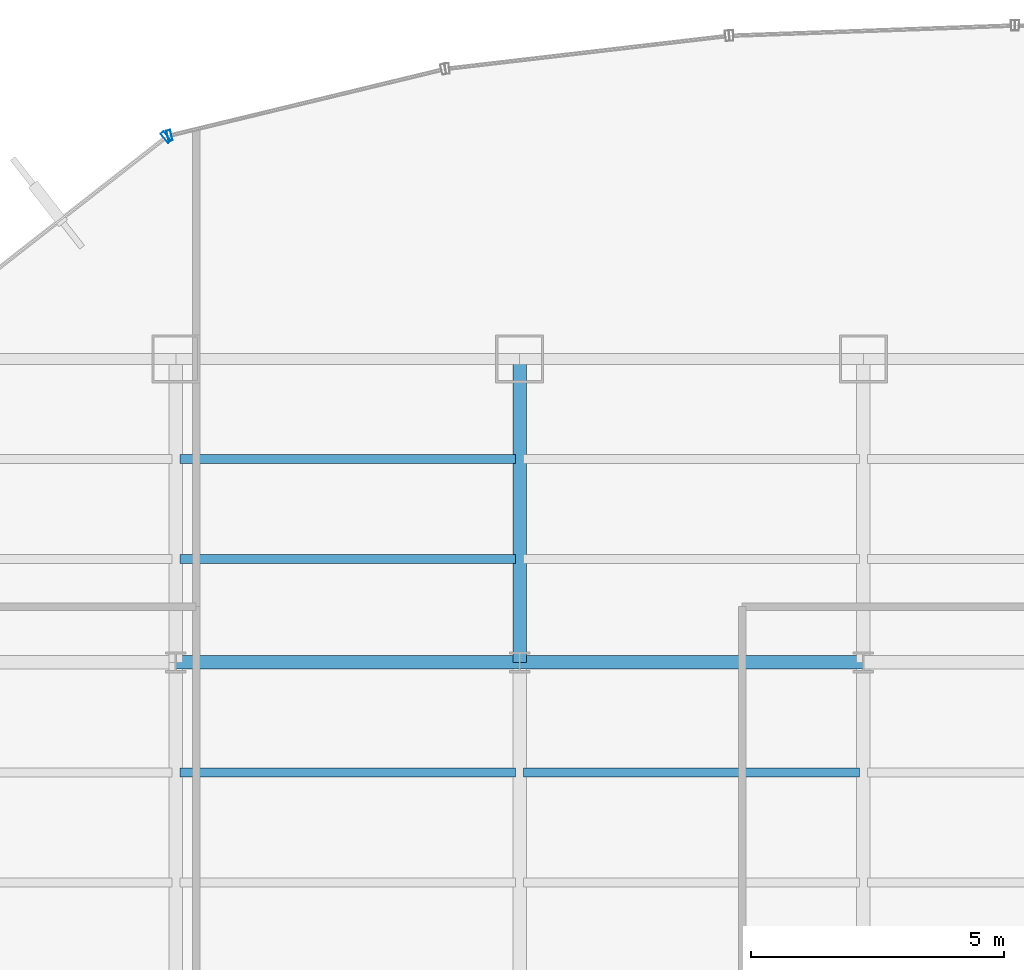
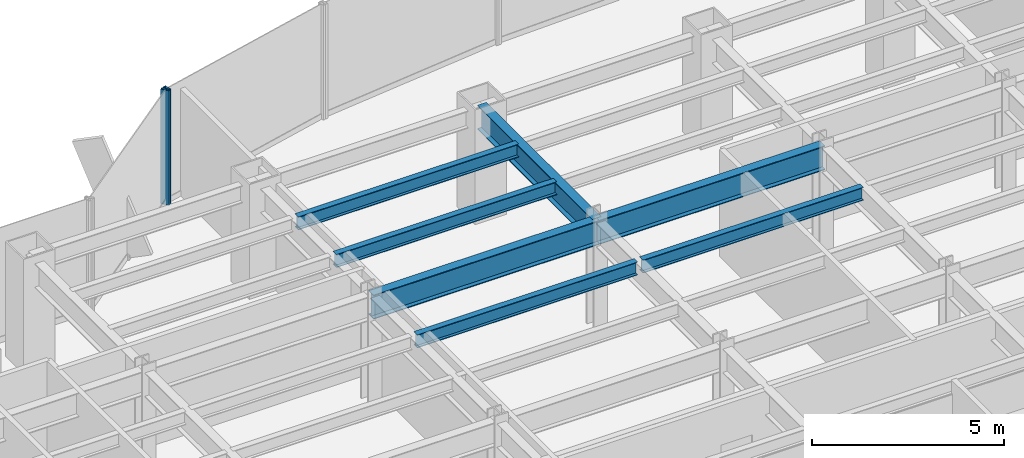
# One storey, part 11 of 23: 7 beams, 2 members, 2 elements without a shape of their own.
"""IFC4 building model written with IfcOpenShell, lengths in metres."""

import ifcopenshell
import ifcopenshell.guid

model = None  # the IFC model being written
_history = None  # IfcOwnerHistory: only IFC2X3 demands one
_inside = {}  # id of a spatial element -> (the spatial element, [elements in it])
_under = {}  # id of a project, library or spatial element -> (it, [spatial elements below it])
_declared = {}  # id of a project -> (the project, [libraries it declares])
_typed = {}  # id of a type object -> (the type object, [elements of that type])
_made_of = {}  # id of a material, layer set ... -> (it, [elements and type objects made of it])


def new_model(schema):
    """Start an empty IFC model of exactly this schema.

    Asked for "IFC4X3", IfcOpenShell would pick the latest addendum, in which some entities
    have other attributes; the version numbers below select the first issue.
    IFC2X3 requires an IfcOwnerHistory on every rooted entity: one is made here for all.
    """
    global model, _history
    if schema == "IFC4X3":
        model = ifcopenshell.file(schema_version=(4, 3, 0, 0))
    else:
        model = ifcopenshell.file(schema=schema)
    _inside.clear()
    _under.clear()
    _declared.clear()
    _typed.clear()
    _made_of.clear()
    _history = None
    if model.schema == "IFC2X3":
        org = make("IfcOrganization", Name="unknown")
        user = make(
            "IfcPersonAndOrganization",
            ThePerson=make("IfcPerson", FamilyName="unknown"),
            TheOrganization=org,
        )
        app = make(
            "IfcApplication",
            ApplicationDeveloper=org,
            Version="unknown",
            ApplicationFullName="unknown",
            ApplicationIdentifier="unknown",
        )
        _history = make(
            "IfcOwnerHistory",
            OwningUser=user,
            OwningApplication=app,
            ChangeAction="ADDED",
            CreationDate=0,
        )
    return model


def make(cls, **values):
    """One entity of the class cls with the attributes given. An attribute that is None is left unset."""
    return model.create_entity(
        cls, **{name: value for name, value in values.items() if value is not None}
    )


def rooted(cls, **values):
    """An entity with a GlobalId (a new one), such as an element, a storey or a relation."""
    return make(cls, GlobalId=ifcopenshell.guid.new(), OwnerHistory=_history, **values)


def si_unit(unit_type, name, prefix=None):
    """IfcSIUnit, for example si_unit("LENGTHUNIT", "METRE", prefix="MILLI")."""
    return make("IfcSIUnit", UnitType=unit_type, Prefix=prefix, Name=name)


def derived_unit(unit_type, elements):
    """IfcDerivedUnit: a product of units, each with its exponent."""
    return make(
        "IfcDerivedUnit",
        Elements=[
            make("IfcDerivedUnitElement", Unit=unit, Exponent=power)
            for unit, power in elements
        ],
        UnitType=unit_type,
    )


def assignment(units):
    """IfcUnitAssignment: the units of a project."""
    return None if units is None else make("IfcUnitAssignment", Units=units)


def point(xyz):
    """IfcCartesianPoint."""
    return None if xyz is None else make("IfcCartesianPoint", Coordinates=xyz)


def direction(xyz):
    """IfcDirection."""
    return None if xyz is None else make("IfcDirection", DirectionRatios=xyz)


def frame(location, z_axis=None, x_axis=None):
    """IfcAxis2Placement3D, a coordinate frame: its origin and axes. An axis left out is left unset."""
    return make(
        "IfcAxis2Placement3D",
        Location=point(location),
        Axis=direction(z_axis),
        RefDirection=direction(x_axis),
    )


def frame_2d(location, x_axis=None):
    """IfcAxis2Placement2D, a coordinate frame in the plane: its origin and x axis."""
    return make(
        "IfcAxis2Placement2D", Location=point(location), RefDirection=direction(x_axis)
    )


def origin():
    """The frame at (0, 0, 0) with its axes left unset."""
    return frame((0.0, 0.0, 0.0))


def origin_2d():
    """The frame at (0, 0) in the plane with its x axis left unset."""
    return frame_2d((0.0, 0.0))


def place(relative_to, where):
    """IfcLocalPlacement: puts the frame where relative to a parent placement (None: the world)."""
    return make(
        "IfcLocalPlacement", PlacementRelTo=relative_to, RelativePlacement=where
    )


def context(
    kind, dimensions, precision=None, world=None, true_north=None, identifier=None
):
    """IfcGeometricRepresentationContext, for example the 3D "Model" context."""
    return make(
        "IfcGeometricRepresentationContext",
        ContextIdentifier=identifier,
        ContextType=kind,
        CoordinateSpaceDimension=dimensions,
        Precision=precision,
        WorldCoordinateSystem=world,
        TrueNorth=true_north,
    )


def subcontext(parent, identifier, kind, view, scale=None):
    """IfcGeometricRepresentationSubContext, for example "Body" below "Model"."""
    return make(
        "IfcGeometricRepresentationSubContext",
        ContextIdentifier=identifier,
        ContextType=kind,
        ParentContext=parent,
        TargetScale=scale,
        TargetView=view,
    )


def project(units=None, contexts=None):
    """IfcProject with its units and contexts."""
    return rooted(
        "IfcProject",
        Name="project",
        RepresentationContexts=contexts,
        UnitsInContext=assignment(units),
    )


def spatial(cls, under=None, at=None, **own):
    """A site, building, storey or space (cls), placed at a placement, below another one or the project."""
    s = rooted(cls, ObjectPlacement=at, **own)
    if under is not None:
        _under.setdefault(under.id(), (under, []))[1].append(s)
    return s


def profile(cls, at=None, kind="AREA", **sizes):
    """A parametric profile (cls). Its sizes go by their IFC names, for example OverallWidth=200.0."""
    return make(cls, ProfileType=kind, Position=at, **sizes)


def hollow_rectangle(**sizes):
    """IfcRectangleHollowProfileDef."""
    return profile("IfcRectangleHollowProfileDef", **sizes)


def i_section(**sizes):
    """IfcIShapeProfileDef."""
    return profile("IfcIShapeProfileDef", **sizes)


def extrude(swept, where, along, depth):
    """IfcExtrudedAreaSolid: the profile swept, set in the frame where, extruded along a direction by depth."""
    return make(
        "IfcExtrudedAreaSolid",
        SweptArea=swept,
        Position=where,
        ExtrudedDirection=direction(along),
        Depth=depth,
    )


def shape(context_of_items, identifier, shape_type, items):
    """IfcShapeRepresentation: the items that make up one representation, for example the "Body"."""
    return make(
        "IfcShapeRepresentation",
        ContextOfItems=context_of_items,
        RepresentationIdentifier=identifier,
        RepresentationType=shape_type,
        Items=items,
    )


def source(mapping_origin, context_of_items, identifier, shape_type, items):
    """IfcRepresentationMap: a shape defined once, which mapped items show again and again."""
    return make(
        "IfcRepresentationMap",
        MappingOrigin=mapping_origin,
        MappedRepresentation=shape(context_of_items, identifier, shape_type, items),
    )


def transform(
    local_origin,
    x_axis=None,
    y_axis=None,
    z_axis=None,
    scale=None,
    scale2=None,
    scale3=None,
    uniform=True,
):
    """IfcCartesianTransformationOperator3D, or its non-uniform kind. x_axis, y_axis, z_axis: its Axis1, 2, 3."""
    if uniform:
        return make(
            "IfcCartesianTransformationOperator3D",
            Axis1=direction(x_axis),
            Axis2=direction(y_axis),
            LocalOrigin=point(local_origin),
            Scale=scale,
            Axis3=direction(z_axis),
        )
    return make(
        "IfcCartesianTransformationOperator3DnonUniform",
        Axis1=direction(x_axis),
        Axis2=direction(y_axis),
        LocalOrigin=point(local_origin),
        Scale=scale,
        Axis3=direction(z_axis),
        Scale2=scale2,
        Scale3=scale3,
    )


def mapped(mapping_source, mapping_target):
    """IfcMappedItem: shows the shape of a source again, moved by a transform."""
    return make(
        "IfcMappedItem", MappingSource=mapping_source, MappingTarget=mapping_target
    )


def material(Name=None, Category=None):
    """IfcMaterial."""
    return make("IfcMaterial", Name=Name, Category=Category)


def material_profile(
    of_material, cross_section, Name=None, Category=None, Priority=None
):
    """IfcMaterialProfile: a cross section and its material."""
    return make(
        "IfcMaterialProfile",
        Name=Name,
        Material=of_material,
        Profile=cross_section,
        Priority=Priority,
        Category=Category,
    )


def profile_set(profiles, Name=None, composite=None):
    """IfcMaterialProfileSet."""
    return make(
        "IfcMaterialProfileSet",
        Name=Name,
        MaterialProfiles=profiles,
        CompositeProfile=composite,
    )


def made_of(thing, what):
    """Note that an element or type object is made of a material, layer set ...; save() writes the relation."""
    if what is not None:
        _made_of.setdefault(what.id(), (what, []))[1].append(thing)
    return thing


def type_object(cls, material=None, **own):
    """A type object (cls), such as IfcWallType, which elements share."""
    return made_of(rooted(cls, **own), material)


def element(
    cls,
    number,
    at=None,
    inside=None,
    cuts=None,
    type_object=None,
    material=None,
    context=None,
    identifier="Body",
    shape_type=None,
    held_by="IfcProductDefinitionShape",
    body=None,
    shapes=None,
    **own,
):
    """One element of the class cls, such as IfcWall. Its Tag is "e" and its number.

    at: its placement. inside: the storey or other place that contains it. cuts: it is an
    opening in that element (IfcRelVoidsElement). A single representation is given by context,
    identifier, shape_type and body (its items); several are given by shapes. held_by: the class
    of the entity that holds the representations. save() writes the other relations.
    """
    e = rooted(cls, Tag="e%d" % number, ObjectPlacement=at, **own)
    if body is not None:
        shapes = [shape(context, identifier, shape_type, body)]
    if shapes is not None:
        e.Representation = make(held_by, Representations=shapes)
    if inside is not None:
        _inside.setdefault(inside.id(), (inside, []))[1].append(e)
    if cuts is not None:
        rooted(
            "IfcRelVoidsElement", RelatingBuildingElement=cuts, RelatedOpeningElement=e
        )
    if type_object is not None:
        _typed.setdefault(type_object.id(), (type_object, []))[1].append(e)
    return made_of(e, material)


def aggregate(whole, parts):
    """IfcRelAggregates: a whole, such as a stair, and the parts it consists of."""
    return rooted("IfcRelAggregates", RelatingObject=whole, RelatedObjects=parts)


def save(model, path):
    """Write the relations noted so far, then the file.

    IfcRelAggregates (storeys below a building ...), IfcRelContainedInSpatialStructure (elements
    in a storey), IfcRelDefinesByType, IfcRelAssociatesMaterial and IfcRelDeclares: one each for
    every whole, place, type object, material and project.
    """
    for whole, parts in _under.values():
        aggregate(whole, parts)
    for where, things in _inside.values():
        rooted(
            "IfcRelContainedInSpatialStructure",
            RelatedElements=things,
            RelatingStructure=where,
        )
    for kind, things in _typed.values():
        rooted("IfcRelDefinesByType", RelatedObjects=things, RelatingType=kind)
    for what, things in _made_of.values():
        rooted("IfcRelAssociatesMaterial", RelatedObjects=things, RelatingMaterial=what)
    for by, libraries in _declared.values():
        rooted("IfcRelDeclares", RelatingContext=by, RelatedDefinitions=libraries)
    model.write(path)


model = new_model("IFC4")

# Units and contexts
model_context = context("Model", 3, precision=1e-05, world=origin(), true_north=direction((0.0, 1.0)))
body_context = subcontext(model_context, "Body", "Model", "MODEL_VIEW")
ifc_project = project(units=[si_unit("LENGTHUNIT", "METRE"), si_unit("AREAUNIT", "SQUARE_METRE"), si_unit("VOLUMEUNIT", "CUBIC_METRE"), si_unit("PLANEANGLEUNIT", "RADIAN"), si_unit("MASSUNIT", "GRAM", prefix="KILO"), derived_unit("THERMALTRANSMITTANCEUNIT", [(si_unit("POWERUNIT", "WATT"), 1), (si_unit("LENGTHUNIT", "METRE"), -2), (si_unit("THERMODYNAMICTEMPERATUREUNIT", "KELVIN"), -1)])], contexts=[model_context])

# Site, building, storey
site_placement = place(None, origin())
site = spatial("IfcSite", under=ifc_project, at=site_placement, CompositionType="ELEMENT")
building_placement = place(site_placement, origin())
building = spatial("IfcBuilding", under=site, at=building_placement, Name="Skarnbrae Concourse Arena and Tower", CompositionType="ELEMENT")
storey_placement = place(building_placement, frame((0.0, 0.0, 50.75)))
storey = spatial("IfcBuildingStorey", under=building, at=storey_placement, Name="L11", CompositionType="ELEMENT", Elevation=50.75)

# Beams
ifc_material_1 = material(Name="Steel CSA G40.21 350W", Category="steel")
ifc_material_profile_1 = material_profile(ifc_material_1, i_section(OverallWidth=0.26806640625, OverallDepth=0.77001953125, WebThickness=0.015625, FlangeThickness=0.025390625, at=origin_2d()), Name="W760X196")
ifc_profile_set_1 = profile_set([ifc_material_profile_1], Name="Steel CSA G40.21 350W")
beam_type_1 = type_object("IfcBeamType", Name="BM-GIRD-W760X196", PredefinedType="BEAM", material=ifc_profile_set_1)
shared_shape_1 = source(origin(), body_context, "Body", "SweptSolid", [
    extrude(i_section(OverallWidth=0.26806640625, OverallDepth=0.77001953125, WebThickness=0.015625, FlangeThickness=0.025390625, at=origin_2d()), origin(), (0.0, 0.0, 1.0), 6.800048828125),
])
for number, where, z_axis, x_axis, name in (
    (1, (14.39990234375, 34.39990234375, 3.014892578125), (1.0, 0.0, 0.0), (0.0, 1.0, 0.0), "L11 Primary E-W girder Y34.4-3"),
    (2, (21.199951171875, 34.39990234375, 3.014892578125), (1.0, 0.0, 0.0), (0.0, 1.0, 0.0), "L11 Primary E-W girder Y34.4-4"),
):
    element("IfcBeam", number, at=place(storey_placement, frame(where, z_axis=z_axis, x_axis=x_axis)), inside=storey, type_object=beam_type_1, Name=name, PredefinedType="BEAM", context=body_context, shape_type="MappedRepresentation", body=[
        mapped(shared_shape_1, transform((0.0, 0.0, 0.0))),
    ])
shared_shape_2 = source(origin(), body_context, "Body", "SweptSolid", [
    extrude(i_section(OverallWidth=0.26806640625, OverallDepth=0.77001953125, WebThickness=0.015625, FlangeThickness=0.025390625, at=origin_2d()), origin(), (0.0, 0.0, 1.0), 6.0),
])
beam_1_placement = place(storey_placement, frame((21.199951171875, 34.39990234375, 3.014892578125), z_axis=(0.0, 1.0, 0.0), x_axis=(-1.0, 0.0, 0.0)))
element("IfcBeam", 3, at=beam_1_placement, inside=storey, type_object=beam_type_1, Name="L11 Primary N-S girder X21.2-4", PredefinedType="BEAM", context=body_context, shape_type="MappedRepresentation", body=[
    mapped(shared_shape_2, transform((0.0, 0.0, 0.0))),
])
ifc_material_profile_2 = material_profile(ifc_material_1, i_section(OverallWidth=0.180908203125, OverallDepth=0.4169921875, WebThickness=0.010986328125, FlangeThickness=0.018310546875, at=origin_2d()), Name="W410X85")
ifc_profile_set_2 = profile_set([ifc_material_profile_2], Name="Steel CSA G40.21 350W")
beam_type_2 = type_object("IfcBeamType", Name="BM-JOIST-W410X85", PredefinedType="JOIST", material=ifc_profile_set_2)
shared_shape_3 = source(origin(), body_context, "Body", "SweptSolid", [
    extrude(i_section(OverallWidth=0.180908203125, OverallDepth=0.4169921875, WebThickness=0.010986328125, FlangeThickness=0.018310546875, at=origin_2d()), origin(), (0.0, 0.0, 1.0), 6.64013671875),
])
for number, where, z_axis, x_axis, name in (
    (4, (14.47998046875, 32.221923828125, 3.19140625), (1.0, 0.0, 0.0), (0.0, 1.0, 0.0), "L11 Secondary floor joist 3.2.3"),
    (5, (14.47998046875, 36.43994140625, 3.19140625), (1.0, 0.0, 0.0), (0.0, 1.0, 0.0), "L11 Secondary floor joist 4.1.2"),
    (6, (14.47998046875, 38.419921875, 3.19140625), (1.0, 0.0, 0.0), (0.0, 1.0, 0.0), "L11 Secondary floor joist 4.2.2"),
):
    element("IfcBeam", number, at=place(storey_placement, frame(where, z_axis=z_axis, x_axis=x_axis)), inside=storey, type_object=beam_type_2, Name=name, PredefinedType="JOIST", context=body_context, shape_type="MappedRepresentation", body=[
        mapped(shared_shape_3, transform((0.0, 0.0, 0.0))),
    ])
shared_shape_4 = source(origin(), body_context, "Body", "SweptSolid", [
    extrude(i_section(OverallWidth=0.180908203125, OverallDepth=0.4169921875, WebThickness=0.010986328125, FlangeThickness=0.018310546875, at=origin_2d()), origin(), (0.0, 0.0, 1.0), 6.639892578125),
])
beam_2_placement = place(storey_placement, frame((21.280029296875, 32.221923828125, 3.19140625), z_axis=(1.0, 0.0, 0.0), x_axis=(0.0, 1.0, 0.0)))
element("IfcBeam", 7, at=beam_2_placement, inside=storey, type_object=beam_type_2, Name="L11 Secondary floor joist 3.2.4", PredefinedType="JOIST", context=body_context, shape_type="MappedRepresentation", body=[
    mapped(shared_shape_4, transform((0.0, 0.0, 0.0))),
])

# Curtain wall, member
ifc_material_2 = material(Name="Bronze anodised aluminium 6063-T6", Category="aluminium")
curtain_wall_type_1 = type_object("IfcCurtainWallType", Name="CW-SYS-02-LOWZONE", PredefinedType="USERDEFINED", material=ifc_material_2)
curtain_wall_1_placement = place(storey_placement, origin())
curtain_wall_1 = element("IfcCurtainWall", 8, at=curtain_wall_1_placement, inside=storey, type_object=curtain_wall_type_1, Name="L11 Unitised curtain wall CW-L11-E15", ObjectType="UNITISED CURTAIN WALL", PredefinedType="USERDEFINED")
ifc_material_profile_3 = material_profile(ifc_material_2, hollow_rectangle(XDim=0.080078125, YDim=0.239990234375, WallThickness=0.0048828125, at=origin_2d()), Name="ALU-MULL-80X240")
ifc_profile_set_3 = profile_set([ifc_material_profile_3], Name="Bronze anodised aluminium 6063-T6")
member_type_1 = type_object("IfcMemberType", Name="CWM-CW-02", PredefinedType="MULLION", material=ifc_profile_set_3)
shared_shape_5 = source(origin(), body_context, "Body", "SweptSolid", [
    extrude(hollow_rectangle(XDim=0.080078125, YDim=0.239990234375, WallThickness=0.0048828125, at=origin_2d()), origin(), (0.0, 0.0, 1.0), 3.64990234375),
])
member_1_placement = place(storey_placement, frame((14.2021484375, 44.787109375, 0.0), z_axis=(0.0, 0.0, 1.0), x_axis=(-0.787651726054, -0.616120733658, 0.0)))
member_1 = element("IfcMember", 9, at=member_1_placement, type_object=member_type_1, Name="CW-L11-E15 Mullion 1", PredefinedType="MULLION", context=body_context, shape_type="MappedRepresentation", body=[
    mapped(shared_shape_5, transform((0.0, 0.0, 0.0))),
])
aggregate(curtain_wall_1, [member_1])

curtain_wall_type_2 = type_object("IfcCurtainWallType", Name="CW-SYS-03-PORTAL", PredefinedType="USERDEFINED", material=ifc_material_2)
curtain_wall_2_placement = place(storey_placement, origin())
curtain_wall_2 = element("IfcCurtainWall", 10, at=curtain_wall_2_placement, inside=storey, type_object=curtain_wall_type_2, Name="L11 Unitised curtain wall CW-L11-E14", ObjectType="UNITISED CURTAIN WALL", PredefinedType="USERDEFINED")
ifc_material_profile_4 = material_profile(ifc_material_2, hollow_rectangle(XDim=0.080078125, YDim=0.2099609375, WallThickness=0.00439453125, at=origin_2d()), Name="ALU-MULL-80X210")
ifc_profile_set_4 = profile_set([ifc_material_profile_4], Name="Bronze anodised aluminium 6063-T6")
member_type_2 = type_object("IfcMemberType", Name="CWM-CW-03", PredefinedType="MULLION", material=ifc_profile_set_4)
shared_shape_6 = source(origin(), body_context, "Body", "SweptSolid", [
    extrude(hollow_rectangle(XDim=0.080078125, YDim=0.2099609375, WallThickness=0.00439453125, at=origin_2d()), origin(), (0.0, 0.0, 1.0), 3.64990234375),
])
member_2_placement = place(storey_placement, frame((14.272705078125, 44.821044921875, 0.0), z_axis=(0.0, 0.0, 1.0), x_axis=(-0.971973721569, -0.235089524607, 0.0)))
member_2 = element("IfcMember", 11, at=member_2_placement, type_object=member_type_2, Name="CW-L11-E14 Mullion 2", PredefinedType="MULLION", context=body_context, shape_type="MappedRepresentation", body=[
    mapped(shared_shape_6, transform((0.0, 0.0, 0.0))),
])
aggregate(curtain_wall_2, [member_2])

save(model, "model.ifc")
